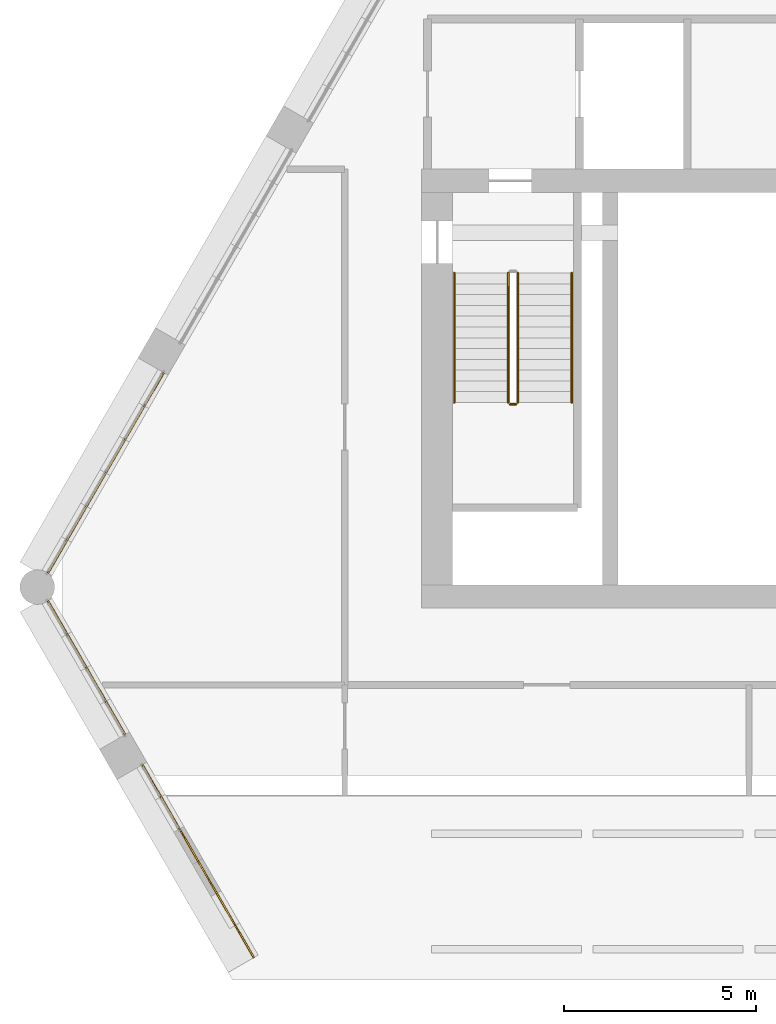
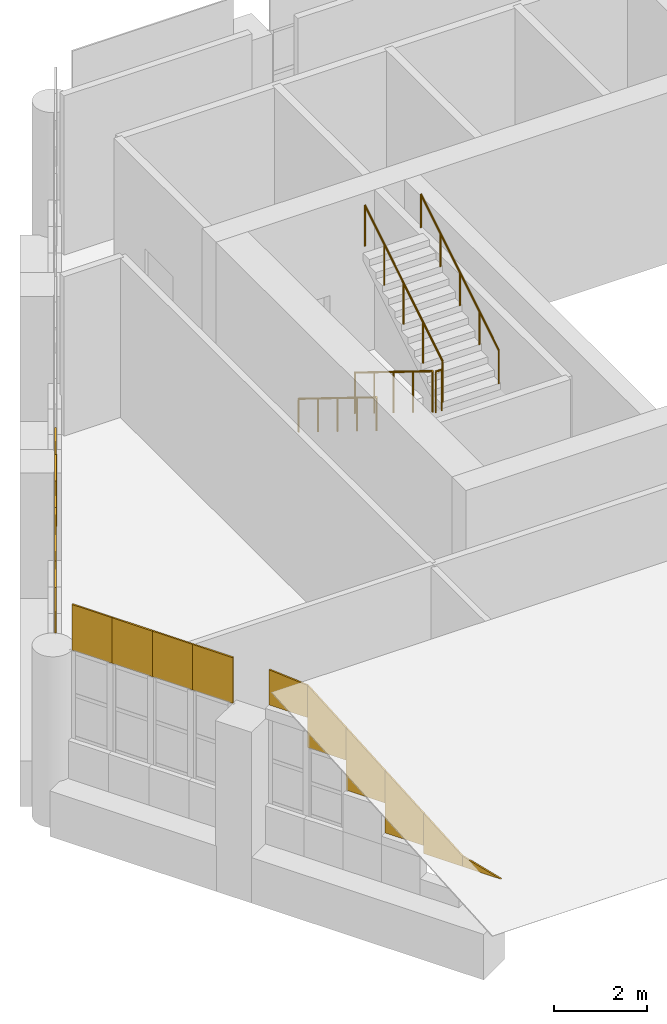
# One storey, part 20 of 23: 16 coverings, 5 railings.
"""IFC4 building model written with IfcOpenShell, lengths in metres."""

import ifcopenshell
import ifcopenshell.guid

model = None  # the IFC model being written
_history = None  # IfcOwnerHistory: only IFC2X3 demands one
_inside = {}  # id of a spatial element -> (the spatial element, [elements in it])
_under = {}  # id of a project, library or spatial element -> (it, [spatial elements below it])
_declared = {}  # id of a project -> (the project, [libraries it declares])
_typed = {}  # id of a type object -> (the type object, [elements of that type])
_made_of = {}  # id of a material, layer set ... -> (it, [elements and type objects made of it])


def new_model(schema):
    """Start an empty IFC model of exactly this schema.

    Asked for "IFC4X3", IfcOpenShell would pick the latest addendum, in which some entities
    have other attributes; the version numbers below select the first issue.
    IFC2X3 requires an IfcOwnerHistory on every rooted entity: one is made here for all.
    """
    global model, _history
    if schema == "IFC4X3":
        model = ifcopenshell.file(schema_version=(4, 3, 0, 0))
    else:
        model = ifcopenshell.file(schema=schema)
    _inside.clear()
    _under.clear()
    _declared.clear()
    _typed.clear()
    _made_of.clear()
    _history = None
    if model.schema == "IFC2X3":
        org = make("IfcOrganization", Name="unknown")
        user = make(
            "IfcPersonAndOrganization",
            ThePerson=make("IfcPerson", FamilyName="unknown"),
            TheOrganization=org,
        )
        app = make(
            "IfcApplication",
            ApplicationDeveloper=org,
            Version="unknown",
            ApplicationFullName="unknown",
            ApplicationIdentifier="unknown",
        )
        _history = make(
            "IfcOwnerHistory",
            OwningUser=user,
            OwningApplication=app,
            ChangeAction="ADDED",
            CreationDate=0,
        )
    return model


def make(cls, **values):
    """One entity of the class cls with the attributes given. An attribute that is None is left unset."""
    return model.create_entity(
        cls, **{name: value for name, value in values.items() if value is not None}
    )


def rooted(cls, **values):
    """An entity with a GlobalId (a new one), such as an element, a storey or a relation."""
    return make(cls, GlobalId=ifcopenshell.guid.new(), OwnerHistory=_history, **values)


def si_unit(unit_type, name, prefix=None):
    """IfcSIUnit, for example si_unit("LENGTHUNIT", "METRE", prefix="MILLI")."""
    return make("IfcSIUnit", UnitType=unit_type, Prefix=prefix, Name=name)


def assignment(units):
    """IfcUnitAssignment: the units of a project."""
    return None if units is None else make("IfcUnitAssignment", Units=units)


def point(xyz):
    """IfcCartesianPoint."""
    return None if xyz is None else make("IfcCartesianPoint", Coordinates=xyz)


def direction(xyz):
    """IfcDirection."""
    return None if xyz is None else make("IfcDirection", DirectionRatios=xyz)


def frame(location, z_axis=None, x_axis=None):
    """IfcAxis2Placement3D, a coordinate frame: its origin and axes. An axis left out is left unset."""
    return make(
        "IfcAxis2Placement3D",
        Location=point(location),
        Axis=direction(z_axis),
        RefDirection=direction(x_axis),
    )


def frame_2d(location, x_axis=None):
    """IfcAxis2Placement2D, a coordinate frame in the plane: its origin and x axis."""
    return make(
        "IfcAxis2Placement2D", Location=point(location), RefDirection=direction(x_axis)
    )


def origin():
    """The frame at (0, 0, 0) with its axes left unset."""
    return frame((0.0, 0.0, 0.0))


def origin_2d():
    """The frame at (0, 0) in the plane with its x axis left unset."""
    return frame_2d((0.0, 0.0))


def place(relative_to, where):
    """IfcLocalPlacement: puts the frame where relative to a parent placement (None: the world)."""
    return make(
        "IfcLocalPlacement", PlacementRelTo=relative_to, RelativePlacement=where
    )


def context(
    kind, dimensions, precision=None, world=None, true_north=None, identifier=None
):
    """IfcGeometricRepresentationContext, for example the 3D "Model" context."""
    return make(
        "IfcGeometricRepresentationContext",
        ContextIdentifier=identifier,
        ContextType=kind,
        CoordinateSpaceDimension=dimensions,
        Precision=precision,
        WorldCoordinateSystem=world,
        TrueNorth=true_north,
    )


def subcontext(parent, identifier, kind, view, scale=None):
    """IfcGeometricRepresentationSubContext, for example "Body" below "Model"."""
    return make(
        "IfcGeometricRepresentationSubContext",
        ContextIdentifier=identifier,
        ContextType=kind,
        ParentContext=parent,
        TargetScale=scale,
        TargetView=view,
    )


def project(units=None, contexts=None):
    """IfcProject with its units and contexts."""
    return rooted(
        "IfcProject",
        Name="project",
        RepresentationContexts=contexts,
        UnitsInContext=assignment(units),
    )


def spatial(cls, under=None, at=None, **own):
    """A site, building, storey or space (cls), placed at a placement, below another one or the project."""
    s = rooted(cls, ObjectPlacement=at, **own)
    if under is not None:
        _under.setdefault(under.id(), (under, []))[1].append(s)
    return s


def polyline(points):
    """IfcPolyline through the points."""
    return make("IfcPolyline", Points=[point(p) for p in points])


def profile(cls, at=None, kind="AREA", **sizes):
    """A parametric profile (cls). Its sizes go by their IFC names, for example OverallWidth=200.0."""
    return make(cls, ProfileType=kind, Position=at, **sizes)


def circle(**sizes):
    """IfcCircleProfileDef."""
    return profile("IfcCircleProfileDef", **sizes)


def outline(outer, holes=None, kind="AREA"):
    """IfcArbitraryClosedProfileDef: a profile drawn as a closed curve; with holes, ...WithVoids."""
    if holes is None:
        return make("IfcArbitraryClosedProfileDef", ProfileType=kind, OuterCurve=outer)
    return make(
        "IfcArbitraryProfileDefWithVoids",
        ProfileType=kind,
        OuterCurve=outer,
        InnerCurves=holes,
    )


def extrude(swept, where, along, depth):
    """IfcExtrudedAreaSolid: the profile swept, set in the frame where, extruded along a direction by depth."""
    return make(
        "IfcExtrudedAreaSolid",
        SweptArea=swept,
        Position=where,
        ExtrudedDirection=direction(along),
        Depth=depth,
    )


def shape(context_of_items, identifier, shape_type, items):
    """IfcShapeRepresentation: the items that make up one representation, for example the "Body"."""
    return make(
        "IfcShapeRepresentation",
        ContextOfItems=context_of_items,
        RepresentationIdentifier=identifier,
        RepresentationType=shape_type,
        Items=items,
    )


def material(Name=None, Category=None):
    """IfcMaterial."""
    return make("IfcMaterial", Name=Name, Category=Category)


def layer(
    of_material, thickness, ventilated=None, Name=None, Category=None, Priority=None
):
    """IfcMaterialLayer: one layer of a wall or slab, of a material (None: an air gap)."""
    return make(
        "IfcMaterialLayer",
        Material=of_material,
        LayerThickness=thickness,
        IsVentilated=ventilated,
        Name=Name,
        Category=Category,
        Priority=Priority,
    )


def layer_set(layers, Name=None):
    """IfcMaterialLayerSet."""
    return make("IfcMaterialLayerSet", MaterialLayers=layers, LayerSetName=Name)


def made_of(thing, what):
    """Note that an element or type object is made of a material, layer set ...; save() writes the relation."""
    if what is not None:
        _made_of.setdefault(what.id(), (what, []))[1].append(thing)
    return thing


def type_object(cls, material=None, **own):
    """A type object (cls), such as IfcWallType, which elements share."""
    return made_of(rooted(cls, **own), material)


def element(
    cls,
    number,
    at=None,
    inside=None,
    cuts=None,
    type_object=None,
    material=None,
    context=None,
    identifier="Body",
    shape_type=None,
    held_by="IfcProductDefinitionShape",
    body=None,
    shapes=None,
    **own,
):
    """One element of the class cls, such as IfcWall. Its Tag is "e" and its number.

    at: its placement. inside: the storey or other place that contains it. cuts: it is an
    opening in that element (IfcRelVoidsElement). A single representation is given by context,
    identifier, shape_type and body (its items); several are given by shapes. held_by: the class
    of the entity that holds the representations. save() writes the other relations.
    """
    e = rooted(cls, Tag="e%d" % number, ObjectPlacement=at, **own)
    if body is not None:
        shapes = [shape(context, identifier, shape_type, body)]
    if shapes is not None:
        e.Representation = make(held_by, Representations=shapes)
    if inside is not None:
        _inside.setdefault(inside.id(), (inside, []))[1].append(e)
    if cuts is not None:
        rooted(
            "IfcRelVoidsElement", RelatingBuildingElement=cuts, RelatedOpeningElement=e
        )
    if type_object is not None:
        _typed.setdefault(type_object.id(), (type_object, []))[1].append(e)
    return made_of(e, material)


def aggregate(whole, parts):
    """IfcRelAggregates: a whole, such as a stair, and the parts it consists of."""
    return rooted("IfcRelAggregates", RelatingObject=whole, RelatedObjects=parts)


def save(model, path):
    """Write the relations noted so far, then the file.

    IfcRelAggregates (storeys below a building ...), IfcRelContainedInSpatialStructure (elements
    in a storey), IfcRelDefinesByType, IfcRelAssociatesMaterial and IfcRelDeclares: one each for
    every whole, place, type object, material and project.
    """
    for whole, parts in _under.values():
        aggregate(whole, parts)
    for where, things in _inside.values():
        rooted(
            "IfcRelContainedInSpatialStructure",
            RelatedElements=things,
            RelatingStructure=where,
        )
    for kind, things in _typed.values():
        rooted("IfcRelDefinesByType", RelatedObjects=things, RelatingType=kind)
    for what, things in _made_of.values():
        rooted("IfcRelAssociatesMaterial", RelatedObjects=things, RelatingMaterial=what)
    for by, libraries in _declared.values():
        rooted("IfcRelDeclares", RelatingContext=by, RelatedDefinitions=libraries)
    model.write(path)


model = new_model("IFC4")

# Units and contexts
model_context = context("Model", 3, precision=1e-05, world=origin(), true_north=direction((0.0, 1.0)))
body_context = subcontext(model_context, "Body", "Model", "MODEL_VIEW")
ifc_project = project(units=[si_unit("LENGTHUNIT", "METRE"), si_unit("AREAUNIT", "SQUARE_METRE"), si_unit("VOLUMEUNIT", "CUBIC_METRE"), si_unit("PLANEANGLEUNIT", "RADIAN"), si_unit("MASSUNIT", "GRAM", prefix="KILO")], contexts=[model_context])

# Site, building, storey
site_placement = place(None, origin())
site = spatial("IfcSite", under=ifc_project, at=site_placement, CompositionType="ELEMENT")
building_placement = place(site_placement, origin())
building = spatial("IfcBuilding", under=site, at=building_placement, Name="Ostrander Bayou Hotel Tower", CompositionType="ELEMENT")
storey_placement = place(building_placement, frame((0.0, 0.0, 279.5)))
storey = spatial("IfcBuildingStorey", under=building, at=storey_placement, Name="L69", CompositionType="ELEMENT", Elevation=279.5)

# Coverings
ifc_material_1 = material(Name="Reconstituted stone panels", Category="masonry")
ifc_layer = layer(ifc_material_1, 0.0400390625)
ifc_layer_set = layer_set([ifc_layer], Name="CV3 crown cladding 40 mm")
covering_type = type_object("IfcCoveringType", Name="CV3 crown cladding 40 mm", PredefinedType="CLADDING", material=ifc_layer_set)
covering_1_placement = place(storey_placement, frame((-15.220947265625, 4.423583984375, 3.300048828125), z_axis=(-0.866047774678, 0.499961250474, 0.0), x_axis=(-0.499961250474, -0.866047774678, 0.0)))
element("IfcCovering", 1, at=covering_1_placement, inside=storey, type_object=covering_type, Name="CV3 crown fascia L69", PredefinedType="CLADDING", context=body_context, shape_type="SweptSolid", body=[
    extrude(outline(polyline([(0.0, 0.0), (1.0030074196233945, 0.0), (1.0030074196233945, 1.199951171875), (0.0, 1.199951171875), (0.0, 0.0)])), origin(), (0.0, 0.0, -1.0), 0.0400390625),
])
covering_2_placement = place(storey_placement, frame((-15.722412109375, 3.554931640625, 3.300048828125), z_axis=(-0.865942374699, 0.500143783026, 0.0), x_axis=(-0.500143783026, -0.865942374699, 0.0)))
element("IfcCovering", 2, at=covering_2_placement, inside=storey, type_object=covering_type, Name="CV3 crown fascia L69", PredefinedType="CLADDING", context=body_context, shape_type="SweptSolid", body=[
    extrude(outline(polyline([(0.0, 0.0), (1.0031295027587228, 0.0), (1.0031295027587228, 1.1999511718750002), (0.0, 1.1999511718750002), (0.0, 0.0)])), origin(), (0.0, 0.0, -1.0), 0.0400390625),
])
for number, where, z_axis, x_axis, name in (
    (3, (-16.22412109375, 2.686279296875, 3.300048828125), (-0.866047774678, 0.499961250474, 0.0), (-0.499961250474, -0.866047774678, 0.0), "CV3 crown fascia L69"),
    (4, (-16.7255859375, 1.817626953125, 3.300048828125), (-0.866047774678, 0.499961250474, 0.0), (-0.499961250474, -0.866047774678, 0.0), "CV3 crown fascia L69"),
    (5, (-17.22705078125, 0.948974609375, 3.300048828125), (-0.866047774678, 0.499961250474, 0.0), (-0.499961250474, -0.866047774678, 0.0), "CV3 crown fascia L69"),
    (6, (-17.728515625, 0.080322265625, 3.300048828125), (-0.866047774678, 0.499961250474, 0.0), (-0.499961250474, -0.866047774678, 0.0), "CV3 crown fascia L69"),
):
    element("IfcCovering", number, at=place(storey_placement, frame(where, z_axis=z_axis, x_axis=x_axis)), inside=storey, type_object=covering_type, Name=name, PredefinedType="CLADDING", context=body_context, shape_type="SweptSolid", body=[
        extrude(outline(polyline([(0.0, 0.0), (1.0030074196233945, 0.0), (1.0030074196233945, 1.199951171875), (0.0, 1.199951171875), (0.0, 0.0)])), origin(), (0.0, 0.0, -1.0), 0.0400390625),
    ])
covering_3_placement = place(storey_placement, frame((-18.22998046875, -1.524658203125, 3.300048828125), z_axis=(-0.866019539041, -0.500010157896, 0.0), x_axis=(0.500010157896, -0.866019539041, 0.0)))
element("IfcCovering", 7, at=covering_3_placement, inside=storey, type_object=covering_type, Name="CV3 crown fascia L69", PredefinedType="CLADDING", context=body_context, shape_type="SweptSolid", body=[
    extrude(outline(polyline([(0.0, 0.0), (1.0038858552634866, 0.0), (1.0038858552634866, 1.199951171875), (0.0, 1.199951171875), (0.0, 0.0)])), origin(), (0.0, 0.0, -1.0), 0.0400390625),
])
covering_4_placement = place(storey_placement, frame((-17.72802734375, -2.39404296875, 3.300048828125), z_axis=(-0.866064057238, -0.499933044277, 0.0), x_axis=(0.499933044277, -0.866064057238, 0.0)))
element("IfcCovering", 8, at=covering_4_placement, inside=storey, type_object=covering_type, Name="CV3 crown fascia L69", PredefinedType="CLADDING", context=body_context, shape_type="SweptSolid", body=[
    extrude(outline(polyline([(0.0, 0.0), (1.0035523558977801, 0.0), (1.0035523558977801, 1.199951171875), (0.0, 1.199951171875), (0.0, 0.0)])), origin(), (0.0, 0.0, -1.0), 0.0400390625),
])
covering_5_placement = place(storey_placement, frame((-17.226318359375, -3.26318359375, 3.300048828125), z_axis=(-0.866080321209, -0.499904868165, 0.0), x_axis=(0.499904868165, -0.866080321209, 0.0)))
element("IfcCovering", 9, at=covering_5_placement, inside=storey, type_object=covering_type, Name="CV3 crown fascia L69", PredefinedType="CLADDING", context=body_context, shape_type="SweptSolid", body=[
    extrude(outline(polyline([(0.0, 0.0), (1.0040972932354897, 0.0), (1.0040972932354897, 1.199951171875), (0.0, 1.199951171875), (0.0, 0.0)])), origin(), (0.0, 0.0, -1.0), 0.0400390625),
])
covering_6_placement = place(storey_placement, frame((-16.724365234375, -4.1328125, 3.300048828125), z_axis=(-0.865958718457, -0.500115484592, 0.0), x_axis=(0.500115484592, -0.865958718457, 0.0)))
element("IfcCovering", 10, at=covering_6_placement, inside=storey, type_object=covering_type, Name="CV3 crown fascia L69", PredefinedType="CLADDING", context=body_context, shape_type="SweptSolid", body=[
    extrude(outline(polyline([(0.0, 0.0), (1.0036744321355686, 0.0), (1.0036744321355686, 1.199951171875), (0.0, 1.199951171875), (0.0, 0.0)])), origin(), (0.0, 0.0, -1.0), 0.0400390625),
])
covering_7_placement = place(storey_placement, frame((-15.7724609375, -5.781494140625, 3.572998046875), z_axis=(-0.865991719008, -0.500058339205, 0.0), x_axis=(0.500058339205, -0.865991719008, 0.0)))
element("IfcCovering", 11, at=covering_7_placement, inside=storey, type_object=covering_type, Name="CV3 crown fascia L69", PredefinedType="CLADDING", context=body_context, shape_type="SweptSolid", body=[
    extrude(outline(polyline([(0.0, 0.0), (0.964731186698399, 0.0), (0.964731186698399, 0.85009765625), (0.0, 0.927001953125), (0.0, 0.0)])), origin(), (0.0, 0.0, -1.0), 0.0400390625),
])
covering_8_placement = place(storey_placement, frame((-15.2900390625, -6.616943359375, 2.785888671875), z_axis=(-0.865991719008, -0.500058339205, 0.0), x_axis=(0.500058339205, -0.865991719008, 0.0)))
element("IfcCovering", 12, at=covering_8_placement, inside=storey, type_object=covering_type, Name="CV3 crown fascia L69", PredefinedType="CLADDING", context=body_context, shape_type="SweptSolid", body=[
    extrude(outline(polyline([(0.0, 0.0), (0.964731186698399, 0.0), (0.964731186698399, 0.8500976562500002), (0.0, 1.6372070312500004), (0.0, 0.0)])), origin(), (0.0, 0.0, -1.0), 0.0400390625),
])
covering_9_placement = place(storey_placement, frame((-14.8076171875, -7.452392578125, 1.9990234375), z_axis=(-0.866054979466, -0.499948769917, 0.0), x_axis=(0.499948769917, -0.866054979466, 0.0)))
element("IfcCovering", 13, at=covering_9_placement, inside=storey, type_object=covering_type, Name="CV3 crown fascia L69", PredefinedType="CLADDING", context=body_context, shape_type="SweptSolid", body=[
    extrude(outline(polyline([(0.0, 0.0), (0.9649426181809926, 0.0), (0.9649426181809926, 0.85009765625), (0.0, 1.636962890625), (0.0, 0.0)])), origin(), (0.0, 0.0, -1.0), 0.0400390625),
])
covering_10_placement = place(storey_placement, frame((-14.3251953125, -8.2880859375, 1.2119140625), z_axis=(-0.865991719008, -0.500058339205, 0.0), x_axis=(0.500058339205, -0.865991719008, 0.0)))
element("IfcCovering", 14, at=covering_10_placement, inside=storey, type_object=covering_type, Name="CV3 crown fascia L69", PredefinedType="CLADDING", context=body_context, shape_type="SweptSolid", body=[
    extrude(outline(polyline([(0.0, 0.0), (0.964731186698399, 0.0), (0.964731186698399, 0.8500976562500002), (0.0, 1.6372070312500004), (0.0, 0.0)])), origin(), (0.0, 0.0, -1.0), 0.0400390625),
])
covering_11_placement = place(storey_placement, frame((-13.8427734375, -9.12353515625, 1.0), z_axis=(-0.865991719008, -0.500058339205, 0.0), x_axis=(0.500058339205, -0.865991719008, 0.0)))
element("IfcCovering", 15, at=covering_11_placement, inside=storey, type_object=covering_type, Name="CV3 crown fascia L69", PredefinedType="CLADDING", context=body_context, shape_type="SweptSolid", body=[
    extrude(outline(polyline([(0.0, 0.0), (0.964731186698399, 0.0), (0.964731186698399, 0.27514648437500006), (0.0, 1.0620117187500002), (0.0, 0.0)])), origin(), (0.0, 0.0, -1.0), 0.0400390625),
])
covering_12_placement = place(storey_placement, frame((-13.3603515625, -9.958984375, 1.0), z_axis=(-0.866054979466, -0.499948769917, 0.0), x_axis=(0.499948769917, -0.866054979466, 0.0)))
element("IfcCovering", 16, at=covering_12_placement, inside=storey, type_object=covering_type, Name="CV3 crown fascia L69", PredefinedType="CLADDING", context=body_context, shape_type="SweptSolid", body=[
    extrude(outline(polyline([(0.0, 0.0), (0.9649426181809926, 0.0), (0.0, 0.275146484375), (0.0, 0.0)])), origin(), (0.0, 0.0, -1.0), 0.0400390625),
])

# Railings
ifc_material_2 = material(Name="Steel ASTM A500 Gr C", Category="steel")
railing_type_1 = type_object("IfcRailingType", Name="GR1 stair guard 1100 mm steel", PredefinedType="GUARDRAIL", material=ifc_material_2)
railing_1_placement = place(storey_placement, frame((-6.25, 7.0, 0.173095703125)))
element("IfcRailing", 17, at=railing_1_placement, inside=storey, type_object=railing_type_1, Name="L69 STA stair guard 1", PredefinedType="GUARDRAIL", context=body_context, shape_type="SweptSolid", body=[
    extrude(circle(Radius=0.02392578125, at=origin_2d()), frame((0.0, 0.0, 1.076171875), z_axis=(0.0, -0.850623216509, 0.525775754039), x_axis=(1.0, 0.0, 0.0)), (0.0, 0.0, 1.0), 3.9501953125),
    extrude(circle(Radius=0.02099609375, at=origin_2d()), origin(), (0.0, 0.0, 1.0), 1.052001953125),
    extrude(circle(Radius=0.02099609375, at=origin_2d()), frame((0.0, -0.840087890625, 0.519287109375)), (0.0, 0.0, 1.0), 1.052001953125),
    extrude(circle(Radius=0.02099609375, at=origin_2d()), frame((0.0, -1.68017578125, 1.03857421875)), (0.0, 0.0, 1.0), 1.052001953125),
    extrude(circle(Radius=0.02099609375, at=origin_2d()), frame((0.0, -2.52001953125, 1.5576171875)), (0.0, 0.0, 1.0), 1.052001953125),
    extrude(circle(Radius=0.02099609375, at=origin_2d()), frame((0.0, -3.360107421875, 2.076904296875)), (0.0, 0.0, 1.0), 1.052001953125),
])
railing_2_placement = place(storey_placement, frame((-6.199951171875, 3.590087890625, 2.25)))
element("IfcRailing", 18, at=railing_2_placement, inside=storey, type_object=railing_type_1, Name="L69 STA stair guard 2", PredefinedType="GUARDRAIL", context=body_context, shape_type="SweptSolid", body=[
    extrude(circle(Radius=0.02392578125, at=origin_2d()), frame((0.0, 0.0, 1.076171875), z_axis=(1.0, 0.0, 0.0), x_axis=(0.0, 1.0, 0.0)), (0.0, 0.0, 1.0), 0.14990234375),
    extrude(circle(Radius=0.02099609375, at=origin_2d()), origin(), (0.0, 0.0, 1.0), 1.052001953125),
    extrude(circle(Radius=0.02099609375, at=origin_2d()), frame((0.14990234375, 0.0, 0.0)), (0.0, 0.0, 1.0), 1.052001953125),
])
railing_3_placement = place(storey_placement, frame((-6.0, 3.639892578125, 2.423095703125)))
element("IfcRailing", 19, at=railing_3_placement, inside=storey, type_object=railing_type_1, Name="L69 STA stair guard 3", PredefinedType="GUARDRAIL", context=body_context, shape_type="SweptSolid", body=[
    extrude(circle(Radius=0.02392578125, at=origin_2d()), frame((0.0, 0.0, 1.076171875), z_axis=(0.0, 0.850623216509, 0.525775754039), x_axis=(-1.0, 0.0, 0.0)), (0.0, 0.0, 1.0), 3.9501953125),
    extrude(circle(Radius=0.02099609375, at=origin_2d()), origin(), (0.0, 0.0, 1.0), 1.052001953125),
    extrude(circle(Radius=0.02099609375, at=origin_2d()), frame((0.0, 0.840087890625, 0.519287109375)), (0.0, 0.0, 1.0), 1.052001953125),
    extrude(circle(Radius=0.02099609375, at=origin_2d()), frame((0.0, 1.68017578125, 1.03857421875)), (0.0, 0.0, 1.0), 1.052001953125),
    extrude(circle(Radius=0.02099609375, at=origin_2d()), frame((0.0, 2.52001953125, 1.5576171875)), (0.0, 0.0, 1.0), 1.052001953125),
    extrude(circle(Radius=0.02099609375, at=origin_2d()), frame((0.0, 3.360107421875, 2.076904296875)), (0.0, 0.0, 1.0), 1.052001953125),
])
ifc_material_3 = material(Name="Steel ASTM A500 Gr C", Category="steel")
railing_type_2 = type_object("IfcRailingType", Name="HR1 stair handrail 900 mm steel", PredefinedType="HANDRAIL", material=ifc_material_3)
railing_4_placement = place(storey_placement, frame((-7.64990234375, 7.0, 0.173095703125)))
element("IfcRailing", 20, at=railing_4_placement, inside=storey, type_object=railing_type_2, Name="L69 STA stair handrail 1", PredefinedType="HANDRAIL", context=body_context, shape_type="SweptSolid", body=[
    extrude(circle(Radius=0.02392578125, at=origin_2d()), frame((0.0, 0.0, 0.8759765625), z_axis=(0.0, -0.850623216509, 0.525775754039), x_axis=(1.0, 0.0, 0.0)), (0.0, 0.0, 1.0), 3.9501953125),
    extrude(circle(Radius=0.02099609375, at=origin_2d()), origin(), (0.0, 0.0, 1.0), 0.851806640625),
    extrude(circle(Radius=0.02099609375, at=origin_2d()), frame((0.0, -0.840087890625, 0.519287109375)), (0.0, 0.0, 1.0), 0.851806640625),
    extrude(circle(Radius=0.02099609375, at=origin_2d()), frame((0.0, -1.68017578125, 1.03857421875)), (0.0, 0.0, 1.0), 0.851806640625),
    extrude(circle(Radius=0.02099609375, at=origin_2d()), frame((0.0, -2.52001953125, 1.5576171875)), (0.0, 0.0, 1.0), 0.851806640625),
    extrude(circle(Radius=0.02099609375, at=origin_2d()), frame((0.0, -3.360107421875, 2.076904296875)), (0.0, 0.0, 1.0), 0.851806640625),
])
railing_5_placement = place(storey_placement, frame((-4.60009765625, 3.639892578125, 2.423095703125)))
element("IfcRailing", 21, at=railing_5_placement, inside=storey, type_object=railing_type_2, Name="L69 STA stair handrail 2", PredefinedType="HANDRAIL", context=body_context, shape_type="SweptSolid", body=[
    extrude(circle(Radius=0.02392578125, at=origin_2d()), frame((0.0, 0.0, 0.8759765625), z_axis=(0.0, 0.850623216509, 0.525775754039), x_axis=(-1.0, 0.0, 0.0)), (0.0, 0.0, 1.0), 3.9501953125),
    extrude(circle(Radius=0.02099609375, at=origin_2d()), origin(), (0.0, 0.0, 1.0), 0.851806640625),
    extrude(circle(Radius=0.02099609375, at=origin_2d()), frame((0.0, 0.840087890625, 0.519287109375)), (0.0, 0.0, 1.0), 0.851806640625),
    extrude(circle(Radius=0.02099609375, at=origin_2d()), frame((0.0, 1.68017578125, 1.03857421875)), (0.0, 0.0, 1.0), 0.851806640625),
    extrude(circle(Radius=0.02099609375, at=origin_2d()), frame((0.0, 2.52001953125, 1.5576171875)), (0.0, 0.0, 1.0), 0.851806640625),
    extrude(circle(Radius=0.02099609375, at=origin_2d()), frame((0.0, 3.360107421875, 2.076904296875)), (0.0, 0.0, 1.0), 0.851806640625),
])

save(model, "model.ifc")
